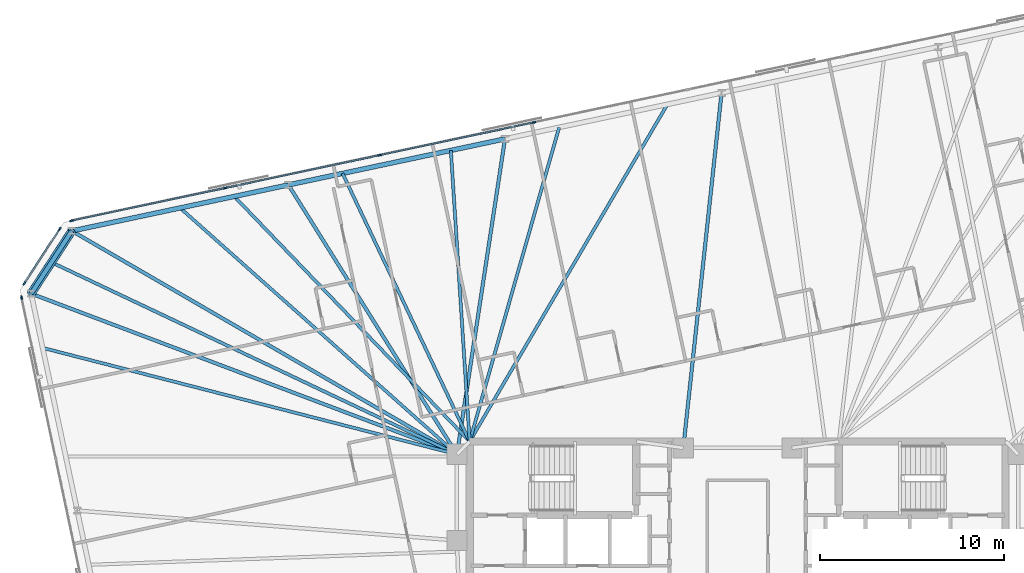
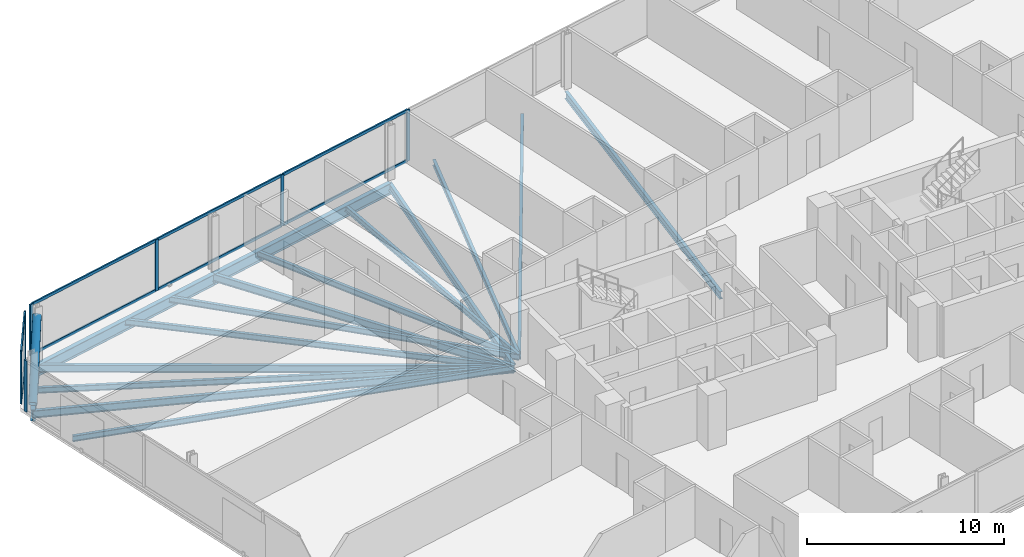
# One storey, part 9 of 20: 16 beams, 16 members, 3 elements without a shape of their own.
"""IFC4 building model written with IfcOpenShell, lengths in metres."""

from ifc_helpers import new_model, si_unit, direction, frame, origin, origin_2d, place, context, subcontext, project, spatial, rectangle, hollow_circle, i_section, extrude, material, material_profile, profile_set, type_object, element, aggregate, save


model = new_model("IFC4")

# Units and contexts
model_context = context("Model", 3, precision=1e-05, world=origin(), true_north=direction((0.0, 1.0)))
body_context = subcontext(model_context, "Body", "Model", "MODEL_VIEW")
ifc_project = project(units=[si_unit("LENGTHUNIT", "METRE"), si_unit("AREAUNIT", "SQUARE_METRE"), si_unit("VOLUMEUNIT", "CUBIC_METRE"), si_unit("PLANEANGLEUNIT", "RADIAN"), si_unit("MASSUNIT", "GRAM", prefix="KILO")], contexts=[model_context])

# Site, building, storey
site_placement = place(None, origin())
site = spatial("IfcSite", under=ifc_project, at=site_placement, CompositionType="ELEMENT")
building_placement = place(site_placement, origin())
building = spatial("IfcBuilding", under=site, at=building_placement, Name="Menara Jurai Vektor", CompositionType="ELEMENT")
storey_placement = place(building_placement, frame((0.0, 0.0, 178.60009765625)))
storey = spatial("IfcBuildingStorey", under=building, at=storey_placement, Name="L46", CompositionType="ELEMENT", Elevation=178.60009765625)

# Curtain wall, members
ifc_material_1 = material(Name="Anodised Pale Aluminium & Low-E Double Glazing", Category="aluminium")
curtain_wall_type = type_object("IfcCurtainWallType", Name="CW-BLK3", PredefinedType="NOTDEFINED", material=ifc_material_1)
curtain_wall_1_placement = place(storey_placement, origin())
curtain_wall_1 = element("IfcCurtainWall", 1, at=curtain_wall_1_placement, inside=storey, type_object=curtain_wall_type, Name="Unitised Curtain Wall L46 F05", PredefinedType="NOTDEFINED")
ifc_material_2 = material(Name="Anodised Pale Aluminium Mullion", Category="aluminium")
ifc_material_profile_1 = material_profile(ifc_material_2, rectangle(XDim=0.0849609375, YDim=0.205078125, at=origin_2d()), Name="ALU MUL 85x205")
ifc_profile_set_1 = profile_set([ifc_material_profile_1], Name="Anodised Pale Aluminium Mullion")
member_type_1 = type_object("IfcMemberType", Name="CW-BLK3-MUL", PredefinedType="MULLION", material=ifc_profile_set_1)
member_1_placement = place(storey_placement, frame((-11.06494140625, 22.9384765625, 0.0), z_axis=(0.0, 0.0, 1.0), x_axis=(0.207911344156, -0.978147674419, 0.0)))
member_1 = element("IfcMember", 2, at=member_1_placement, type_object=member_type_1, Name="CW-03 mullion 5", PredefinedType="MULLION", context=body_context, shape_type="SweptSolid", body=[
    extrude(rectangle(XDim=0.0849609375, YDim=0.205078125, at=origin_2d()), origin(), (0.0, 0.0, 1.0), 3.1748046875),
])
member_2_placement = place(storey_placement, frame((-19.45458984375, 21.1552734375, 0.0), z_axis=(0.0, 0.0, 1.0), x_axis=(0.207911344156, -0.978147674419, 0.0)))
member_2 = element("IfcMember", 3, at=member_2_placement, type_object=member_type_1, Name="CW-03 mullion 6", PredefinedType="MULLION", context=body_context, shape_type="SweptSolid", body=[
    extrude(rectangle(XDim=0.0849609375, YDim=0.205078125, at=origin_2d()), origin(), (0.0, 0.0, 1.0), 3.1748046875),
])
member_3_placement = place(storey_placement, frame((-27.844482421875, 19.3720703125, 0.0), z_axis=(0.0, 0.0, 1.0), x_axis=(0.207911344156, -0.978147674419, 0.0)))
member_3 = element("IfcMember", 4, at=member_3_placement, type_object=member_type_1, Name="CW-03 mullion 7", PredefinedType="MULLION", context=body_context, shape_type="SweptSolid", body=[
    extrude(rectangle(XDim=0.0849609375, YDim=0.205078125, at=origin_2d()), origin(), (0.0, 0.0, 1.0), 3.1748046875),
])
member_4_placement = place(storey_placement, frame((-36.192626953125, 17.59765625, 0.0), z_axis=(0.0, 0.0, 1.0), x_axis=(0.207911344156, -0.978147674419, 0.0)))
member_4 = element("IfcMember", 5, at=member_4_placement, type_object=member_type_1, Name="CW-03 mullion 8", PredefinedType="MULLION", context=body_context, shape_type="SweptSolid", body=[
    extrude(rectangle(XDim=0.0849609375, YDim=0.205078125, at=origin_2d()), origin(), (0.0, 0.0, 1.0), 3.1748046875),
])

curtain_wall_2_placement = place(storey_placement, origin())
curtain_wall_2 = element("IfcCurtainWall", 6, at=curtain_wall_2_placement, inside=storey, type_object=curtain_wall_type, Name="Unitised Curtain Wall L46 F06", PredefinedType="NOTDEFINED")
member_5_placement = place(storey_placement, frame((-36.8359375, 17.1552734375, 0.0), z_axis=(0.0, 0.0, 1.0), x_axis=(0.838684361415, -0.544617794346, 0.0)))
member_5 = element("IfcMember", 7, at=member_5_placement, type_object=member_type_1, Name="CW-03 mullion 1", PredefinedType="MULLION", context=body_context, shape_type="SweptSolid", body=[
    extrude(rectangle(XDim=0.0849609375, YDim=0.205078125, at=origin_2d()), origin(), (0.0, 0.0, 1.0), 3.1748046875),
])
member_6_placement = place(storey_placement, frame((-38.763427734375, 14.187255859375, 0.0), z_axis=(0.0, 0.0, 1.0), x_axis=(0.838684361415, -0.544617794346, 0.0)))
member_6 = element("IfcMember", 8, at=member_6_placement, type_object=member_type_1, Name="CW-03 mullion 2", PredefinedType="MULLION", context=body_context, shape_type="SweptSolid", body=[
    extrude(rectangle(XDim=0.0849609375, YDim=0.205078125, at=origin_2d()), origin(), (0.0, 0.0, 1.0), 3.1748046875),
])

# Curtain wall, member
curtain_wall_3_placement = place(storey_placement, origin())
curtain_wall_3 = element("IfcCurtainWall", 9, at=curtain_wall_3_placement, inside=storey, type_object=curtain_wall_type, Name="Unitised Curtain Wall L46 F07", PredefinedType="NOTDEFINED")
member_7_placement = place(storey_placement, frame((-38.90576171875, 13.419677734375, 0.0), z_axis=(0.0, 0.0, 1.0), x_axis=(0.978147883949, 0.20791035839, 0.0)))
member_7 = element("IfcMember", 10, at=member_7_placement, type_object=member_type_1, Name="CW-03 mullion 1", PredefinedType="MULLION", context=body_context, shape_type="SweptSolid", body=[
    extrude(rectangle(XDim=0.0849609375, YDim=0.205078125, at=origin_2d()), origin(), (0.0, 0.0, 1.0), 3.1748046875),
])
aggregate(curtain_wall_3, [member_7])

# Member
ifc_material_3 = material(Name="Anodised Pale Aluminium Transom", Category="aluminium")
ifc_material_profile_2 = material_profile(ifc_material_3, rectangle(XDim=0.0849609375, YDim=0.175048828125, at=origin_2d()), Name="ALU TRN 85x175")
ifc_profile_set_2 = profile_set([ifc_material_profile_2], Name="Anodised Pale Aluminium Transom")
member_type_2 = type_object("IfcMemberType", Name="CW-BLK3-TRN", PredefinedType="USERDEFINED", material=ifc_profile_set_2)
member_8_placement = place(storey_placement, frame((-11.1064453125, 22.9296875, 0.04248046875), z_axis=(-0.978147743708, -0.207911018178, 0.0), x_axis=(0.207911018178, -0.978147743708, 0.0)))
member_8 = element("IfcMember", 11, at=member_8_placement, type_object=member_type_2, Name="CW-03 transom 5.1", ObjectType="TRANSOM", PredefinedType="USERDEFINED", context=body_context, shape_type="SweptSolid", body=[
    extrude(rectangle(XDim=0.0849609375, YDim=0.175048828125, at=origin_2d()), origin(), (0.0, 0.0, 1.0), 8.4921875),
])

member_9_placement = place(storey_placement, frame((-11.1064453125, 22.9296875, 3.13232421875), z_axis=(-0.978147743708, -0.207911018178, 0.0), x_axis=(0.207911018178, -0.978147743708, 0.0)))
member_9 = element("IfcMember", 12, at=member_9_placement, type_object=member_type_2, Name="CW-03 transom 5.2", ObjectType="TRANSOM", PredefinedType="USERDEFINED", context=body_context, shape_type="SweptSolid", body=[
    extrude(rectangle(XDim=0.0849609375, YDim=0.175048828125, at=origin_2d()), origin(), (0.0, 0.0, 1.0), 8.4921875),
])

member_10_placement = place(storey_placement, frame((-19.496337890625, 21.146484375, 0.04248046875), z_axis=(-0.978146500933, -0.207916864907, 0.0), x_axis=(0.207916864907, -0.978146500933, 0.0)))
member_10 = element("IfcMember", 13, at=member_10_placement, type_object=member_type_2, Name="CW-03 transom 6.1", ObjectType="TRANSOM", PredefinedType="USERDEFINED", context=body_context, shape_type="SweptSolid", body=[
    extrude(rectangle(XDim=0.0849609375, YDim=0.175048828125, at=origin_2d()), origin(), (0.0, 0.0, 1.0), 8.491943359375),
])

member_11_placement = place(storey_placement, frame((-19.496337890625, 21.146484375, 3.13232421875), z_axis=(-0.978146500933, -0.207916864907, 0.0), x_axis=(0.207916864907, -0.978146500933, 0.0)))
member_11 = element("IfcMember", 14, at=member_11_placement, type_object=member_type_2, Name="CW-03 transom 6.2", ObjectType="TRANSOM", PredefinedType="USERDEFINED", context=body_context, shape_type="SweptSolid", body=[
    extrude(rectangle(XDim=0.0849609375, YDim=0.175048828125, at=origin_2d()), origin(), (0.0, 0.0, 1.0), 8.491943359375),
])

member_12_placement = place(storey_placement, frame((-27.885986328125, 19.363037109375, 0.04248046875), z_axis=(-0.978151580361, -0.207892967261, 0.0), x_axis=(0.207892967261, -0.978151580361, 0.0)))
member_12 = element("IfcMember", 15, at=member_12_placement, type_object=member_type_2, Name="CW-03 transom 7.1", ObjectType="TRANSOM", PredefinedType="USERDEFINED", context=body_context, shape_type="SweptSolid", body=[
    extrude(rectangle(XDim=0.0849609375, YDim=0.175048828125, at=origin_2d()), origin(), (0.0, 0.0, 1.0), 8.449462890625),
])

member_13_placement = place(storey_placement, frame((-27.885986328125, 19.363037109375, 3.13232421875), z_axis=(-0.978151580361, -0.207892967261, 0.0), x_axis=(0.207892967261, -0.978151580361, 0.0)))
member_13 = element("IfcMember", 16, at=member_13_placement, type_object=member_type_2, Name="CW-03 transom 7.2", ObjectType="TRANSOM", PredefinedType="USERDEFINED", context=body_context, shape_type="SweptSolid", body=[
    extrude(rectangle(XDim=0.0849609375, YDim=0.175048828125, at=origin_2d()), origin(), (0.0, 0.0, 1.0), 8.449462890625),
])

aggregate(curtain_wall_1, [member_1, member_2, member_3, member_4, member_8, member_9, member_10, member_11, member_12, member_13])

member_14_placement = place(storey_placement, frame((-36.859130859375, 17.11962890625, 0.04248046875), z_axis=(-0.54462804274, -0.83867770631, 0.0), x_axis=(0.83867770631, -0.54462804274, 0.0)))
member_14 = element("IfcMember", 17, at=member_14_placement, type_object=member_type_2, Name="CW-03 transom 1.1", ObjectType="TRANSOM", PredefinedType="USERDEFINED", context=body_context, shape_type="SweptSolid", body=[
    extrude(rectangle(XDim=0.0849609375, YDim=0.175048828125, at=origin_2d()), origin(), (0.0, 0.0, 1.0), 3.453857421875),
])

member_15_placement = place(storey_placement, frame((-36.859130859375, 17.11962890625, 3.13232421875), z_axis=(-0.54462804274, -0.83867770631, 0.0), x_axis=(0.83867770631, -0.54462804274, 0.0)))
member_15 = element("IfcMember", 18, at=member_15_placement, type_object=member_type_2, Name="CW-03 transom 1.2", ObjectType="TRANSOM", PredefinedType="USERDEFINED", context=body_context, shape_type="SweptSolid", body=[
    extrude(rectangle(XDim=0.0849609375, YDim=0.175048828125, at=origin_2d()), origin(), (0.0, 0.0, 1.0), 3.453857421875),
])

aggregate(curtain_wall_2, [member_5, member_6, member_14, member_15])

# Beams
ifc_material_4 = material(Name="Steel S355", Category="steel")
ifc_material_profile_3 = material_profile(ifc_material_4, i_section(OverallWidth=0.19091796875, OverallDepth=0.4599609375, WebThickness=0.010009765625, FlangeThickness=0.01611328125, FilletRadius=0.010009765625, at=origin_2d()), Name="UKB 457x191x82")
ifc_profile_set_3 = profile_set([ifc_material_profile_3], Name="Steel S355")
beam_type_1 = type_object("IfcBeamType", Name="STR-BM-457", PredefinedType="BEAM", material=ifc_profile_set_3)
beam_1_placement = place(storey_placement, frame((-0.87158203125, 24.54296875, -0.455078125), z_axis=(-0.107107067506, -0.994247492373, 0.0), x_axis=(0.994247492373, -0.107107067506, 0.0)))
element("IfcBeam", 19, at=beam_1_placement, inside=storey, type_object=beam_type_1, Name="Radial Floor Girder L46-N3", PredefinedType="BEAM", context=body_context, shape_type="SweptSolid", body=[
    extrude(i_section(OverallWidth=0.19091796875, OverallDepth=0.4599609375, WebThickness=0.010009765625, FlangeThickness=0.01611328125, FilletRadius=0.010009765625, at=origin_2d()), origin(), (0.0, 0.0, 1.0), 19.404541015625),
])
beam_2_placement = place(storey_placement, frame((-12.639892578125, 22.04150390625, -0.455078125), z_axis=(-0.150532344322, -0.988605084608, 0.0), x_axis=(0.988605084608, -0.150532344322, 0.0)))
element("IfcBeam", 20, at=beam_2_placement, inside=storey, type_object=beam_type_1, Name="Radial Floor Girder L46-N4", PredefinedType="BEAM", context=body_context, shape_type="SweptSolid", body=[
    extrude(i_section(OverallWidth=0.19091796875, OverallDepth=0.4599609375, WebThickness=0.010009765625, FlangeThickness=0.01611328125, FilletRadius=0.010009765625, at=origin_2d()), origin(), (0.0, 0.0, 1.0), 17.339111328125),
])
beam_3_placement = place(storey_placement, frame((-24.408203125, 19.5400390625, -0.455078125), z_axis=(0.53033693414, -0.847786963976, 0.0), x_axis=(0.847786963976, 0.53033693414, 0.0)))
element("IfcBeam", 21, at=beam_3_placement, inside=storey, type_object=beam_type_1, Name="Radial Floor Girder L46-N5", PredefinedType="BEAM", context=body_context, shape_type="SweptSolid", body=[
    extrude(i_section(OverallWidth=0.19091796875, OverallDepth=0.4599609375, WebThickness=0.010009765625, FlangeThickness=0.01611328125, FilletRadius=0.010009765625, at=origin_2d()), origin(), (0.0, 0.0, 1.0), 17.2685546875),
])
beam_4_placement = place(storey_placement, frame((-36.17626953125, 17.038818359375, -0.455078125), z_axis=(0.86500105453, -0.50177004261, 0.0), x_axis=(0.50177004261, 0.86500105453, 0.0)))
element("IfcBeam", 22, at=beam_4_placement, inside=storey, type_object=beam_type_1, Name="Radial Floor Girder L46-N6", PredefinedType="BEAM", context=body_context, shape_type="SweptSolid", body=[
    extrude(i_section(OverallWidth=0.19091796875, OverallDepth=0.4599609375, WebThickness=0.010009765625, FlangeThickness=0.01611328125, FilletRadius=0.010009765625, at=origin_2d()), origin(), (0.0, 0.0, 1.0), 24.192138671875),
])
beam_5_placement = place(storey_placement, frame((-38.388671875, 13.632080078125, -0.455078125), z_axis=(0.935593658977, -0.353078610626, 0.0), x_axis=(0.353078610626, 0.935593658977, 0.0)))
element("IfcBeam", 23, at=beam_5_placement, inside=storey, type_object=beam_type_1, Name="Radial Floor Girder L46-W1", PredefinedType="BEAM", context=body_context, shape_type="SweptSolid", body=[
    extrude(i_section(OverallWidth=0.19091796875, OverallDepth=0.4599609375, WebThickness=0.010009765625, FlangeThickness=0.01611328125, FilletRadius=0.010009765625, at=origin_2d()), origin(), (0.0, 0.0, 1.0), 24.7314453125),
])

# Member
ifc_material_5 = material(Name="Steel S460", Category="steel")
ifc_material_profile_4 = material_profile(ifc_material_5, hollow_circle(Radius=0.228515625, WallThickness=0.01611328125, at=origin_2d()), Name="CHS 457x16")
ifc_profile_set_4 = profile_set([ifc_material_profile_4], Name="Steel S460")
member_type_3 = type_object("IfcMemberType", Name="STR-BR-457", PredefinedType="BRACE", material=ifc_profile_set_4)
member_16_placement = place(storey_placement, frame((-38.388671875, 13.632080078125, 0.14990234375), z_axis=(0.454887866849, 0.700402825662, 0.5500117366), x_axis=(-0.838648168484, 0.544673525608, 0.0)))
element("IfcMember", 24, at=member_16_placement, inside=storey, type_object=member_type_3, Name="Exoskeleton Corner Brace L46-3", PredefinedType="BRACE", context=body_context, shape_type="SweptSolid", body=[
    extrude(hollow_circle(Radius=0.228515625, WallThickness=0.01611328125, at=origin_2d()), origin(), (0.0, 0.0, 1.0), 4.863525390625),
])

# Beams
ifc_material_profile_5 = material_profile(ifc_material_4, i_section(OverallWidth=0.172119140625, OverallDepth=0.35498046875, WebThickness=0.007080078125, FlangeThickness=0.011962890625, FilletRadius=0.010009765625, at=origin_2d()), Name="UKB 356x171x51")
ifc_profile_set_5 = profile_set([ifc_material_profile_5], Name="Steel S355")
beam_type_2 = type_object("IfcBeamType", Name="STR-JS-356", PredefinedType="JOIST", material=ifc_profile_set_5)
beam_6_placement = place(storey_placement, frame((-3.813720703125, 23.91748046875, -0.402587890625), z_axis=(-0.506019514775, -0.862522029091, 0.0), x_axis=(0.862522029091, -0.506019514775, 0.0)))
element("IfcBeam", 25, at=beam_6_placement, inside=storey, type_object=beam_type_2, Name="Radial Secondary Floor Joist L46-JS22", PredefinedType="JOIST", context=body_context, shape_type="SweptSolid", body=[
    extrude(i_section(OverallWidth=0.172119140625, OverallDepth=0.35498046875, WebThickness=0.007080078125, FlangeThickness=0.011962890625, FilletRadius=0.010009765625, at=origin_2d()), origin(), (0.0, 0.0, 1.0), 21.237060546875),
])
beam_7_placement = place(storey_placement, frame((-9.69775390625, 22.666748046875, -0.402587890625), z_axis=(-0.273997863708, -0.961730300387, 0.0), x_axis=(0.961730300387, -0.273997863708, 0.0)))
element("IfcBeam", 26, at=beam_7_placement, inside=storey, type_object=beam_type_2, Name="Radial Secondary Floor Joist L46-JS23", PredefinedType="JOIST", context=body_context, shape_type="SweptSolid", body=[
    extrude(i_section(OverallWidth=0.172119140625, OverallDepth=0.35498046875, WebThickness=0.007080078125, FlangeThickness=0.011962890625, FilletRadius=0.010009765625, at=origin_2d()), origin(), (0.0, 0.0, 1.0), 17.745849609375),
])
beam_8_placement = place(storey_placement, frame((-15.581787109375, 21.416015625, -0.402587890625), z_axis=(0.064466897528, -0.997919846041, 0.0), x_axis=(0.997919846041, 0.064466897528, 0.0)))
element("IfcBeam", 27, at=beam_8_placement, inside=storey, type_object=beam_type_2, Name="Radial Secondary Floor Joist L46-JS24", PredefinedType="JOIST", context=body_context, shape_type="SweptSolid", body=[
    extrude(i_section(OverallWidth=0.172119140625, OverallDepth=0.35498046875, WebThickness=0.007080078125, FlangeThickness=0.011962890625, FilletRadius=0.010009765625, at=origin_2d()), origin(), (0.0, 0.0, 1.0), 15.848876953125),
])
beam_9_placement = place(storey_placement, frame((-21.466064453125, 20.165283203125, -0.402587890625), z_axis=(0.428426167333, -0.903576792057, 0.0), x_axis=(0.903576792057, 0.428426167333, 0.0)))
element("IfcBeam", 28, at=beam_9_placement, inside=storey, type_object=beam_type_2, Name="Radial Secondary Floor Joist L46-JS25", PredefinedType="JOIST", context=body_context, shape_type="SweptSolid", body=[
    extrude(i_section(OverallWidth=0.172119140625, OverallDepth=0.35498046875, WebThickness=0.007080078125, FlangeThickness=0.011962890625, FilletRadius=0.010009765625, at=origin_2d()), origin(), (0.0, 0.0, 1.0), 16.119384765625),
])
beam_10_placement = place(storey_placement, frame((-27.35009765625, 18.914794921875, -0.402587890625), z_axis=(0.692755307066, -0.721172714772, 0.0), x_axis=(0.721172714772, 0.692755307066, 0.0)))
element("IfcBeam", 29, at=beam_10_placement, inside=storey, type_object=beam_type_2, Name="Radial Secondary Floor Joist L46-JS26", PredefinedType="JOIST", context=body_context, shape_type="SweptSolid", body=[
    extrude(i_section(OverallWidth=0.172119140625, OverallDepth=0.35498046875, WebThickness=0.007080078125, FlangeThickness=0.011962890625, FilletRadius=0.010009765625, at=origin_2d()), origin(), (0.0, 0.0, 1.0), 18.462646484375),
])
beam_11_placement = place(storey_placement, frame((-30.292236328125, 18.289306640625, -0.402587890625), z_axis=(0.746952302948, -0.664877625673, 0.0), x_axis=(0.664877625673, 0.746952302948, 0.0)))
element("IfcBeam", 30, at=beam_11_placement, inside=storey, type_object=beam_type_2, Name="Radial Secondary Floor Joist L46-JS27", PredefinedType="JOIST", context=body_context, shape_type="SweptSolid", body=[
    extrude(i_section(OverallWidth=0.172119140625, OverallDepth=0.35498046875, WebThickness=0.007080078125, FlangeThickness=0.011962890625, FilletRadius=0.010009765625, at=origin_2d()), origin(), (0.0, 0.0, 1.0), 20.13818359375),
])
beam_12_placement = place(storey_placement, frame((-37.282470703125, 15.33544921875, -0.402587890625), z_axis=(0.903751908448, -0.428056641085, 0.0), x_axis=(0.428056641085, 0.903751908448, 0.0)))
element("IfcBeam", 31, at=beam_12_placement, inside=storey, type_object=beam_type_2, Name="Radial Secondary Floor Joist L46-JS28", PredefinedType="JOIST", context=body_context, shape_type="SweptSolid", body=[
    extrude(i_section(OverallWidth=0.172119140625, OverallDepth=0.35498046875, WebThickness=0.007080078125, FlangeThickness=0.011962890625, FilletRadius=0.010009765625, at=origin_2d()), origin(), (0.0, 0.0, 1.0), 24.37890625),
])
beam_13_placement = place(storey_placement, frame((-37.76220703125, 10.68505859375, -0.402587890625), z_axis=(0.968531283953, -0.248891848005, 0.0), x_axis=(0.248891848005, 0.968531283953, 0.0)))
element("IfcBeam", 32, at=beam_13_placement, inside=storey, type_object=beam_type_2, Name="Radial Secondary Floor Joist L46-JS29", PredefinedType="JOIST", context=body_context, shape_type="SweptSolid", body=[
    extrude(i_section(OverallWidth=0.172119140625, OverallDepth=0.35498046875, WebThickness=0.007080078125, FlangeThickness=0.011962890625, FilletRadius=0.010009765625, at=origin_2d()), origin(), (0.0, 0.0, 1.0), 23.24365234375),
])
ifc_material_profile_6 = material_profile(ifc_material_5, i_section(OverallWidth=0.256103515625, OverallDepth=0.693115234375, WebThickness=0.013916015625, FlangeThickness=0.02392578125, FilletRadius=0.014892578125, at=origin_2d()), Name="UKB 686x254x170")
ifc_profile_set_6 = profile_set([ifc_material_profile_6], Name="Steel S460")
beam_type_3 = type_object("IfcBeamType", Name="STR-SP-686", PredefinedType="SPANDREL", material=ifc_profile_set_6)
beam_14_placement = place(storey_placement, frame((-12.639892578125, 22.04150390625, -0.571533203125), z_axis=(-0.978147039247, -0.207914332389, 0.0), x_axis=(0.207914332389, -0.978147039247, 0.0)))
element("IfcBeam", 33, at=beam_14_placement, inside=storey, type_object=beam_type_3, Name="Exoskeleton Spandrel Beam L46-14", PredefinedType="SPANDREL", context=body_context, shape_type="SweptSolid", body=[
    extrude(i_section(OverallWidth=0.256103515625, OverallDepth=0.693115234375, WebThickness=0.013916015625, FlangeThickness=0.02392578125, FilletRadius=0.014892578125, at=origin_2d()), origin(), (0.0, 0.0, 1.0), 12.03125),
])
beam_15_placement = place(storey_placement, frame((-24.408203125, 19.5400390625, -0.571533203125), z_axis=(-0.978150288855, -0.207899043801, 0.0), x_axis=(0.207899043801, -0.978150288855, 0.0)))
element("IfcBeam", 34, at=beam_15_placement, inside=storey, type_object=beam_type_3, Name="Exoskeleton Spandrel Beam L46-15", PredefinedType="SPANDREL", context=body_context, shape_type="SweptSolid", body=[
    extrude(i_section(OverallWidth=0.256103515625, OverallDepth=0.693115234375, WebThickness=0.013916015625, FlangeThickness=0.02392578125, FilletRadius=0.014892578125, at=origin_2d()), origin(), (0.0, 0.0, 1.0), 12.031005859375),
])
beam_16_placement = place(storey_placement, frame((-36.17626953125, 17.038818359375, -0.571533203125), z_axis=(-0.544646071268, -0.838665998507, 0.0), x_axis=(0.838665998507, -0.544646071268, 0.0)))
element("IfcBeam", 35, at=beam_16_placement, inside=storey, type_object=beam_type_3, Name="Exoskeleton Spandrel Beam L46-16", PredefinedType="SPANDREL", context=body_context, shape_type="SweptSolid", body=[
    extrude(i_section(OverallWidth=0.256103515625, OverallDepth=0.693115234375, WebThickness=0.013916015625, FlangeThickness=0.02392578125, FilletRadius=0.014892578125, at=origin_2d()), origin(), (0.0, 0.0, 1.0), 4.06201171875),
])

save(model, "model.ifc")
